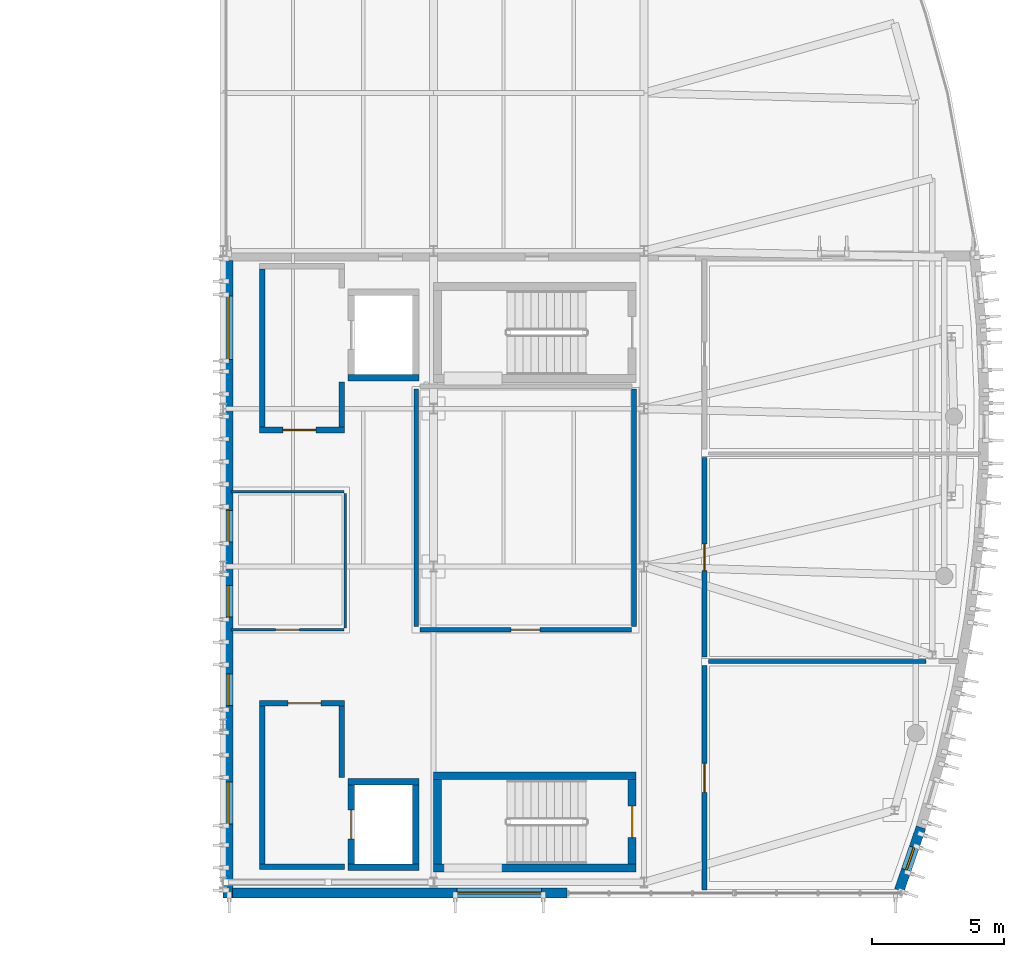
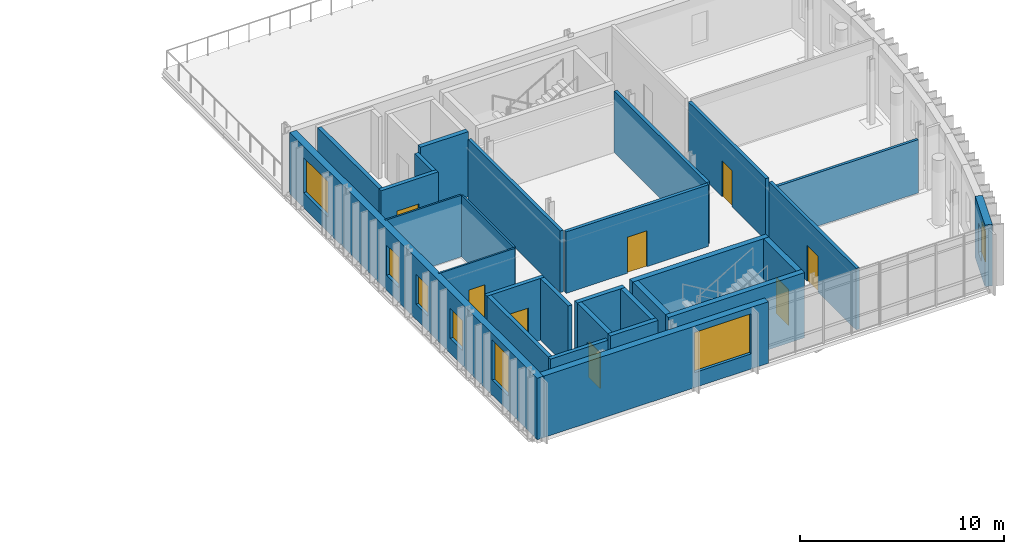
# One storey, part 29 of 40: 28 walls, 8 doors, 7 windows, 15 openings.
"""IFC4 building model written with IfcOpenShell, lengths in metres."""

from ifc_helpers import new_model, si_unit, direction, frame, frame_2d, origin, place, context, subcontext, project, spatial, rectangle, extrude, material, layer, layer_set, type_object, element, fill, save


model = new_model("IFC4")

# Units and contexts
model_context = context("Model", 3, precision=1e-05, world=origin(), true_north=direction((0.0, 1.0)))
body_context = subcontext(model_context, "Body", "Model", "MODEL_VIEW")
ifc_project = project(units=[si_unit("LENGTHUNIT", "METRE"), si_unit("AREAUNIT", "SQUARE_METRE"), si_unit("VOLUMEUNIT", "CUBIC_METRE"), si_unit("PLANEANGLEUNIT", "RADIAN"), si_unit("MASSUNIT", "GRAM", prefix="KILO")], contexts=[model_context])

# Site, building, storey
site_placement = place(None, origin())
site = spatial("IfcSite", under=ifc_project, at=site_placement, CompositionType="ELEMENT")
building_placement = place(site_placement, origin())
building = spatial("IfcBuilding", under=site, at=building_placement, Name="Cymarion Research Institute", CompositionType="ELEMENT")
storey_placement = place(building_placement, frame((0.0, 0.0, 26.699951171875)))
storey = spatial("IfcBuildingStorey", under=building, at=storey_placement, Name="L06", CompositionType="ELEMENT", Elevation=26.699951171875)

# Wall, opening, window
ifc_material_1 = material(Name="Precast concrete C40/50", Category="concrete")
ifc_layer_1 = layer(ifc_material_1, 0.3798828125)
ifc_layer_set_1 = layer_set([ifc_layer_1], Name="Precast concrete C40/50")
wall_type_1 = type_object("IfcWallType", Name="EXTERIOR WALL EW-PC380 380MM", PredefinedType="SOLIDWALL", material=ifc_layer_set_1)
wall_1_placement = place(storey_placement, frame((138.9619140625, 5.090087890625, 0.0), z_axis=(0.0, 0.0, 1.0), x_axis=(1.0, 0.0, 0.0)))
wall_1 = element("IfcWall", 1, at=wall_1_placement, inside=storey, type_object=wall_type_1, Name="L06 V1 facade pier wall EW-PC380 #248", PredefinedType="SOLIDWALL", context=body_context, shape_type="SweptSolid", body=[
    extrude(rectangle(XDim=12.718994140625, YDim=0.3798828125, at=frame_2d((6.359375, 0.0))), origin(), (0.0, 0.0, 1.0), 3.679931640625),
])
opening_1_placement = place(wall_1_placement, frame((8.5390625, 0.0, 0.89990234375)))
opening_1 = element("IfcOpeningElement", 2, at=opening_1_placement, cuts=wall_1, Name="Opening W23", PredefinedType="OPENING", context=body_context, shape_type="SweptSolid", body=[
    extrude(rectangle(XDim=3.199951171875, YDim=2.39990234375, at=frame_2d((1.60009765625, 1.199951171875))), frame((0.0, 0.199951171875, 0.0), z_axis=(0.0, -1.0, 0.0), x_axis=(1.0, 0.0, 0.0)), (0.0, 0.0, 1.0), 0.39990234375),
])
ifc_material_2 = material(Name="Thermally broken aluminium window with Low-E glazing", Category="aluminium")
window_type_1 = type_object("IfcWindowType", Name="THERMALLY BROKEN ALUMINIUM WINDOW W23 3200X2400", PartitioningType="TRIPLE_PANEL_VERTICAL", PredefinedType="WINDOW", material=ifc_material_2)
window_1_placement = place(opening_1_placement, origin())
window_1 = element("IfcWindow", 3, at=window_1_placement, inside=storey, type_object=window_type_1, Name="L06 V1 facade window W23 #458", OverallHeight=2.39990234375, OverallWidth=3.199951171875, PartitioningType="SINGLE_PANEL", PredefinedType="WINDOW", context=body_context, shape_type="SweptSolid", body=[
    extrude(rectangle(XDim=3.199951171875, YDim=2.39990234375, at=frame_2d((1.60009765625, 1.199951171875))), frame((0.0, 0.030029296875, 0.0), z_axis=(0.0, -1.0, 0.0), x_axis=(1.0, 0.0, 0.0)), (0.0, 0.0, 1.0), 0.06005859375),
])
fill(opening_1, window_1)

wall_2_placement = place(storey_placement, frame((164.302978515625, 5.200927734375, 0.0), z_axis=(0.0, 0.0, 1.0), x_axis=(0.3268184741, 0.945087130897, 0.0)))
wall_2 = element("IfcWall", 4, at=wall_2_placement, inside=storey, type_object=wall_type_1, Name="L06 V1 exterior wall EW-PC380 #249", PredefinedType="SOLIDWALL", context=body_context, shape_type="SweptSolid", body=[
    extrude(rectangle(XDim=2.5263671875, YDim=0.3798828125, at=frame_2d((1.26318359375, 0.0))), origin(), (0.0, 0.0, 1.0), 3.679931640625),
])
opening_2_placement = place(wall_2_placement, frame((0.81298828125, 0.0, 0.89990234375)))
opening_2 = element("IfcOpeningElement", 5, at=opening_2_placement, cuts=wall_2, Name="Opening W24", PredefinedType="OPENING", context=body_context, shape_type="SweptSolid", body=[
    extrude(rectangle(XDim=0.89990234375, YDim=1.800048828125, at=frame_2d((0.449951171875, 0.89990234375))), frame((0.0, 0.199951171875, 0.0), z_axis=(0.0, -1.0, 0.0), x_axis=(1.0, 0.0, 0.0)), (0.0, 0.0, 1.0), 0.39990234375),
])
window_type_2 = type_object("IfcWindowType", Name="THERMALLY BROKEN ALUMINIUM WINDOW W24 900X1800", PartitioningType="SINGLE_PANEL", PredefinedType="WINDOW", material=ifc_material_2)
window_2_placement = place(opening_2_placement, origin())
window_2 = element("IfcWindow", 6, at=window_2_placement, inside=storey, type_object=window_type_2, Name="L06 V1 facade window W24 #459", OverallHeight=1.800048828125, OverallWidth=0.89990234375, PartitioningType="SINGLE_PANEL", PredefinedType="WINDOW", context=body_context, shape_type="SweptSolid", body=[
    extrude(rectangle(XDim=0.89990234375, YDim=1.800048828125, at=frame_2d((0.449951171875, 0.89990234375))), frame((0.0, 0.030029296875, 0.0), z_axis=(0.0, -1.0, 0.0), x_axis=(1.0, 0.0, 0.0)), (0.0, 0.0, 1.0), 0.06005859375),
])
fill(opening_2, window_2)

# Wall, openings, windows
wall_3_placement = place(storey_placement, frame((138.7900390625, 29.137939453125, 0.0), z_axis=(0.0, 0.0, 1.0), x_axis=(0.0, -1.0, 0.0)))
wall_3 = element("IfcWall", 7, at=wall_3_placement, inside=storey, type_object=wall_type_1, Name="L06 V1 exterior wall EW-PC380 #259", PredefinedType="SOLIDWALL", context=body_context, shape_type="SweptSolid", body=[
    extrude(rectangle(XDim=24.238037109375, YDim=0.3798828125, at=frame_2d((12.119140625, 0.0))), origin(), (0.0, 0.0, 1.0), 3.679931640625),
])
opening_3_placement = place(wall_3_placement, frame((1.364013671875, 0.0, 0.89990234375)))
opening_3 = element("IfcOpeningElement", 8, at=opening_3_placement, cuts=wall_3, Name="Opening W12", PredefinedType="OPENING", context=body_context, shape_type="SweptSolid", body=[
    extrude(rectangle(XDim=2.39990234375, YDim=2.10009765625, at=frame_2d((1.199951171875, 1.050048828125))), frame((0.0, 0.199951171875, 0.0), z_axis=(0.0, -1.0, 0.0), x_axis=(1.0, 0.0, 0.0)), (0.0, 0.0, 1.0), 0.39990234375),
])
opening_4_placement = place(wall_3_placement, frame((9.498046875, 0.0, 0.89990234375)))
opening_4 = element("IfcOpeningElement", 9, at=opening_4_placement, cuts=wall_3, Name="Opening W01", PredefinedType="OPENING", context=body_context, shape_type="SweptSolid", body=[
    extrude(rectangle(XDim=1.199951171875, YDim=1.800048828125, at=frame_2d((0.60009765625, 0.89990234375))), frame((0.0, 0.199951171875, 0.0), z_axis=(0.0, -1.0, 0.0), x_axis=(1.0, 0.0, 0.0)), (0.0, 0.0, 1.0), 0.39990234375),
])
opening_5_placement = place(wall_3_placement, frame((12.35791015625, 0.0, 0.89990234375)))
opening_5 = element("IfcOpeningElement", 10, at=opening_5_placement, cuts=wall_3, Name="Opening W01", PredefinedType="OPENING", context=body_context, shape_type="SweptSolid", body=[
    extrude(rectangle(XDim=1.199951171875, YDim=1.800048828125, at=frame_2d((0.60009765625, 0.89990234375))), frame((0.0, 0.199951171875, 0.0), z_axis=(0.0, -1.0, 0.0), x_axis=(1.0, 0.0, 0.0)), (0.0, 0.0, 1.0), 0.39990234375),
])
opening_6_placement = place(wall_3_placement, frame((15.718017578125, 0.0, 0.89990234375)))
opening_6 = element("IfcOpeningElement", 11, at=opening_6_placement, cuts=wall_3, Name="Opening W01", PredefinedType="OPENING", context=body_context, shape_type="SweptSolid", body=[
    extrude(rectangle(XDim=1.199951171875, YDim=1.800048828125, at=frame_2d((0.60009765625, 0.89990234375))), frame((0.0, 0.199951171875, 0.0), z_axis=(0.0, -1.0, 0.0), x_axis=(1.0, 0.0, 0.0)), (0.0, 0.0, 1.0), 0.39990234375),
])
opening_7_placement = place(wall_3_placement, frame((19.827880859375, 0.0, 0.89990234375)))
opening_7 = element("IfcOpeningElement", 12, at=opening_7_placement, cuts=wall_3, Name="Opening W20", PredefinedType="OPENING", context=body_context, shape_type="SweptSolid", body=[
    extrude(rectangle(XDim=1.60009765625, YDim=2.39990234375, at=frame_2d((0.800048828125, 1.199951171875))), frame((0.0, 0.199951171875, 0.0), z_axis=(0.0, -1.0, 0.0), x_axis=(1.0, 0.0, 0.0)), (0.0, 0.0, 1.0), 0.39990234375),
])
window_type_3 = type_object("IfcWindowType", Name="THERMALLY BROKEN ALUMINIUM WINDOW W01 1200X1800", PartitioningType="SINGLE_PANEL", PredefinedType="WINDOW", material=ifc_material_2)
window_3_placement = place(opening_4_placement, origin())
window_3 = element("IfcWindow", 13, at=window_3_placement, inside=storey, type_object=window_type_3, Name="L06 V1 facade window W01 #471", OverallHeight=1.800048828125, OverallWidth=1.199951171875, PartitioningType="SINGLE_PANEL", PredefinedType="WINDOW", context=body_context, shape_type="SweptSolid", body=[
    extrude(rectangle(XDim=1.199951171875, YDim=1.800048828125, at=frame_2d((0.60009765625, 0.89990234375))), frame((0.0, 0.030029296875, 0.0), z_axis=(0.0, -1.0, 0.0), x_axis=(1.0, 0.0, 0.0)), (0.0, 0.0, 1.0), 0.06005859375),
])
fill(opening_4, window_3)
window_4_placement = place(opening_5_placement, origin())
window_4 = element("IfcWindow", 14, at=window_4_placement, inside=storey, type_object=window_type_3, Name="L06 V1 facade window W01 #472", OverallHeight=1.800048828125, OverallWidth=1.199951171875, PartitioningType="SINGLE_PANEL", PredefinedType="WINDOW", context=body_context, shape_type="SweptSolid", body=[
    extrude(rectangle(XDim=1.199951171875, YDim=1.800048828125, at=frame_2d((0.60009765625, 0.89990234375))), frame((0.0, 0.030029296875, 0.0), z_axis=(0.0, -1.0, 0.0), x_axis=(1.0, 0.0, 0.0)), (0.0, 0.0, 1.0), 0.06005859375),
])
fill(opening_5, window_4)
window_5_placement = place(opening_6_placement, origin())
window_5 = element("IfcWindow", 15, at=window_5_placement, inside=storey, type_object=window_type_3, Name="L06 V1 facade window W01 #473", OverallHeight=1.800048828125, OverallWidth=1.199951171875, PartitioningType="SINGLE_PANEL", PredefinedType="WINDOW", context=body_context, shape_type="SweptSolid", body=[
    extrude(rectangle(XDim=1.199951171875, YDim=1.800048828125, at=frame_2d((0.60009765625, 0.89990234375))), frame((0.0, 0.030029296875, 0.0), z_axis=(0.0, -1.0, 0.0), x_axis=(1.0, 0.0, 0.0)), (0.0, 0.0, 1.0), 0.06005859375),
])
fill(opening_6, window_5)
window_type_4 = type_object("IfcWindowType", Name="THERMALLY BROKEN ALUMINIUM WINDOW W12 2400X2100", PartitioningType="TRIPLE_PANEL_VERTICAL", PredefinedType="WINDOW", material=ifc_material_2)
window_6_placement = place(opening_3_placement, origin())
window_6 = element("IfcWindow", 16, at=window_6_placement, inside=storey, type_object=window_type_4, Name="L06 V1 facade window W12 #470", OverallHeight=2.10009765625, OverallWidth=2.39990234375, PartitioningType="SINGLE_PANEL", PredefinedType="WINDOW", context=body_context, shape_type="SweptSolid", body=[
    extrude(rectangle(XDim=2.39990234375, YDim=2.10009765625, at=frame_2d((1.199951171875, 1.050048828125))), frame((0.0, 0.030029296875, 0.0), z_axis=(0.0, -1.0, 0.0), x_axis=(1.0, 0.0, 0.0)), (0.0, 0.0, 1.0), 0.06005859375),
])
fill(opening_3, window_6)
window_type_5 = type_object("IfcWindowType", Name="THERMALLY BROKEN ALUMINIUM WINDOW W20 1600X2400", PartitioningType="DOUBLE_PANEL_VERTICAL", PredefinedType="WINDOW", material=ifc_material_2)
window_7_placement = place(opening_7_placement, origin())
window_7 = element("IfcWindow", 17, at=window_7_placement, inside=storey, type_object=window_type_5, Name="L06 V1 facade window W20 #474", OverallHeight=2.39990234375, OverallWidth=1.60009765625, PartitioningType="SINGLE_PANEL", PredefinedType="WINDOW", context=body_context, shape_type="SweptSolid", body=[
    extrude(rectangle(XDim=1.60009765625, YDim=2.39990234375, at=frame_2d((0.800048828125, 1.199951171875))), frame((0.0, 0.030029296875, 0.0), z_axis=(0.0, -1.0, 0.0), x_axis=(1.0, 0.0, 0.0)), (0.0, 0.0, 1.0), 0.06005859375),
])
fill(opening_7, window_7)

# Walls
ifc_material_3 = material(Name="Gypsum acoustic double-stud partition", Category="gypsum")
ifc_layer_2 = layer(ifc_material_3, 0.14990234375)
ifc_layer_set_2 = layer_set([ifc_layer_2], Name="Gypsum acoustic double-stud partition")
wall_type_2 = type_object("IfcWallType", Name="INTERIOR PARTITION IW-AC150 150MM", PredefinedType="PARTITIONING", material=ifc_layer_set_2)
wall_4_placement = place(storey_placement, frame((157.050048828125, 13.89990234375, 0.0), z_axis=(0.0, 0.0, 1.0), x_axis=(1.0, 0.0, 0.0)))
element("IfcWall", 18, at=wall_4_placement, inside=storey, type_object=wall_type_2, Name="L06 V1 interior partition IW-AC150 #351", PredefinedType="PARTITIONING", context=body_context, shape_type="SweptSolid", body=[
    extrude(rectangle(XDim=8.259765625, YDim=0.14990234375, at=frame_2d((4.1298828125, 0.0))), origin(), (0.0, 0.0, 1.0), 3.179931640625),
])
ifc_material_4 = material(Name="Framed acoustic glass laboratory screen", Category="glass")
ifc_layer_3 = layer(ifc_material_4, 0.10009765625)
ifc_layer_set_3 = layer_set([ifc_layer_3], Name="Framed acoustic glass laboratory screen")
wall_type_3 = type_object("IfcWallType", Name="INTERIOR PARTITION IW-GL100 100MM", PredefinedType="PARTITIONING", material=ifc_layer_set_3)
wall_5_placement = place(storey_placement, frame((138.905029296875, 20.340087890625, 0.0), z_axis=(0.0, 0.0, 1.0), x_axis=(1.0, 0.0, 0.0)))
element("IfcWall", 19, at=wall_5_placement, inside=storey, type_object=wall_type_3, Name="L06 V1 interior partition IW-GL100 #344", PredefinedType="PARTITIONING", context=body_context, shape_type="SweptSolid", body=[
    extrude(rectangle(XDim=4.294921875, YDim=0.10009765625, at=frame_2d((2.1474609375, 0.0))), origin(), (0.0, 0.0, 1.0), 3.679931640625),
])
wall_6_placement = place(storey_placement, frame((143.25, 15.159912109375, 0.0), z_axis=(0.0, 0.0, 1.0), x_axis=(0.0, 1.0, 0.0)))
element("IfcWall", 20, at=wall_6_placement, inside=storey, type_object=wall_type_3, Name="L06 V1 interior partition IW-GL100 #345", PredefinedType="PARTITIONING", context=body_context, shape_type="SweptSolid", body=[
    extrude(rectangle(XDim=5.1201171875, YDim=0.10009765625, at=frame_2d((2.56005859375, 0.0))), origin(), (0.0, 0.0, 1.0), 3.679931640625),
])

# Wall, opening, door
wall_7_placement = place(storey_placement, frame((138.905029296875, 15.10009765625, 0.0), z_axis=(0.0, 0.0, 1.0), x_axis=(1.0, 0.0, 0.0)))
wall_7 = element("IfcWall", 21, at=wall_7_placement, inside=storey, type_object=wall_type_3, Name="L06 V1 interior partition IW-GL100 #346", PredefinedType="PARTITIONING", context=body_context, shape_type="SweptSolid", body=[
    extrude(rectangle(XDim=4.294921875, YDim=0.10009765625, at=frame_2d((2.1474609375, 0.0))), origin(), (0.0, 0.0, 1.0), 3.679931640625),
])
opening_8_placement = place(wall_7_placement, frame((1.697998046875, 0.0, 0.0)))
opening_8 = element("IfcOpeningElement", 22, at=opening_8_placement, cuts=wall_7, Name="Opening D-L06-206", PredefinedType="OPENING", context=body_context, shape_type="SweptSolid", body=[
    extrude(rectangle(XDim=0.89990234375, YDim=2.10009765625, at=frame_2d((0.449951171875, 1.050048828125))), frame((0.0, 0.06005859375, 0.0), z_axis=(0.0, -1.0, 0.0), x_axis=(1.0, 0.0, 0.0)), (0.0, 0.0, 1.0), 0.1201171875),
])
ifc_material_5 = material(Name="Flush acoustic timber/steel door assembly", Category="steel")
door_type_1 = type_object("IfcDoorType", Name="RESEARCH WRITE-UP OFFICE DOOR DT-OF090 900X2100", OperationType="NOTDEFINED", PredefinedType="DOOR", material=ifc_material_5)
door_1_placement = place(opening_8_placement, origin())
door_1 = element("IfcDoor", 23, at=door_1_placement, inside=storey, type_object=door_type_1, Name="L06 West Write-up door D-L06-206", OperationType="SINGLE_SWING_LEFT", OverallHeight=2.10009765625, OverallWidth=0.89990234375, PredefinedType="DOOR", context=body_context, shape_type="SweptSolid", body=[
    extrude(rectangle(XDim=0.89990234375, YDim=2.10009765625, at=frame_2d((0.449951171875, 1.050048828125))), frame((0.0, 0.02490234375, 0.0), z_axis=(0.0, -1.0, 0.0), x_axis=(1.0, 0.0, 0.0)), (0.0, 0.0, 1.0), 0.050048828125),
])
fill(opening_8, door_1)

# Walls
ifc_material_6 = material(Name="Moisture-resistant laboratory partition", Category="gypsum")
ifc_layer_4 = layer(ifc_material_6, 0.179931640625)
ifc_layer_set_4 = layer_set([ifc_layer_4], Name="Moisture-resistant laboratory partition")
wall_type_4 = type_object("IfcWallType", Name="INTERIOR PARTITION IW-LB180 180MM", PredefinedType="PARTITIONING", material=ifc_layer_set_4)
for number, where, z_axis, x_axis, name in (
    (24, (145.949951171875, 15.219970703125, 0.0), (0.0, 0.0, 1.0), (0.0, 1.0, 0.0), "L06 V1 interior partition IW-LB180 #347"),
    (25, (154.219970703125, 15.219970703125, 0.0), (0.0, 0.0, 1.0), (0.0, 1.0, 0.0), "L06 V1 interior partition IW-LB180 #349"),
):
    element("IfcWall", number, at=place(storey_placement, frame(where, z_axis=z_axis, x_axis=x_axis)), inside=storey, type_object=wall_type_4, Name=name, PredefinedType="PARTITIONING", context=body_context, shape_type="SweptSolid", body=[
        extrude(rectangle(XDim=9.030029296875, YDim=0.179931640625, at=frame_2d((4.51513671875, 0.0))), origin(), (0.0, 0.0, 1.0), 3.679931640625),
    ])

# Wall, opening, door
wall_8_placement = place(storey_placement, frame((146.080078125, 15.10009765625, 0.0), z_axis=(0.0, 0.0, 1.0), x_axis=(1.0, 0.0, 0.0)))
wall_8 = element("IfcWall", 26, at=wall_8_placement, inside=storey, type_object=wall_type_4, Name="L06 V1 interior partition IW-LB180 #350", PredefinedType="PARTITIONING", context=body_context, shape_type="SweptSolid", body=[
    extrude(rectangle(XDim=8.0400390625, YDim=0.179931640625, at=frame_2d((4.02001953125, 0.0))), origin(), (0.0, 0.0, 1.0), 3.679931640625),
])
opening_9_placement = place(wall_8_placement, frame((3.469970703125, 0.0, 0.0)))
opening_9 = element("IfcOpeningElement", 27, at=opening_9_placement, cuts=wall_8, Name="Opening D-L06-207", PredefinedType="OPENING", context=body_context, shape_type="SweptSolid", body=[
    extrude(rectangle(XDim=1.10009765625, YDim=2.14990234375, at=frame_2d((0.550048828125, 1.074951171875))), frame((0.0, 0.099853515625, 0.0), z_axis=(0.0, -1.0, 0.0), x_axis=(1.0, 0.0, 0.0)), (0.0, 0.0, 1.0), 0.199951171875),
])
door_type_2 = type_object("IfcDoorType", Name="LABORATORY WIDE SINGLE DOOR DT-LB110 1100X2150", OperationType="NOTDEFINED", PredefinedType="DOOR", material=ifc_material_5)
door_2_placement = place(opening_9_placement, origin())
door_2 = element("IfcDoor", 28, at=door_2_placement, inside=storey, type_object=door_type_2, Name="L06 Central Assay Lab door D-L06-207", OperationType="SINGLE_SWING_RIGHT", OverallHeight=2.14990234375, OverallWidth=1.10009765625, PredefinedType="DOOR", context=body_context, shape_type="SweptSolid", body=[
    extrude(rectangle(XDim=1.10009765625, YDim=2.14990234375, at=frame_2d((0.550048828125, 1.074951171875))), frame((0.0, 0.02490234375, 0.0), z_axis=(0.0, -1.0, 0.0), x_axis=(1.0, 0.0, 0.0)), (0.0, 0.0, 1.0), 0.050048828125),
])
fill(opening_9, door_2)

wall_9_placement = place(storey_placement, frame((156.89990234375, 5.205078125, 0.0), z_axis=(0.0, 0.0, 1.0), x_axis=(0.0, 1.0, 0.0)))
wall_9 = element("IfcWall", 29, at=wall_9_placement, inside=storey, type_object=wall_type_4, Name="L06 V1 interior partition IW-LB180 #354", PredefinedType="PARTITIONING", context=body_context, shape_type="SweptSolid", body=[
    extrude(rectangle(XDim=8.534912109375, YDim=0.179931640625, at=frame_2d((4.267578125, 0.0))), origin(), (0.0, 0.0, 1.0), 3.679931640625),
])
opening_10_placement = place(wall_9_placement, frame((3.718017578125, 0.0, 0.0)))
opening_10 = element("IfcOpeningElement", 30, at=opening_10_placement, cuts=wall_9, Name="Opening D-L06-208", PredefinedType="OPENING", context=body_context, shape_type="SweptSolid", body=[
    extrude(rectangle(XDim=1.10009765625, YDim=2.14990234375, at=frame_2d((0.550048828125, 1.074951171875))), frame((0.0, 0.099853515625, 0.0), z_axis=(0.0, -1.0, 0.0), x_axis=(1.0, 0.0, 0.0)), (0.0, 0.0, 1.0), 0.199951171875),
])
door_3_placement = place(opening_10_placement, origin())
door_3 = element("IfcDoor", 31, at=door_3_placement, inside=storey, type_object=door_type_2, Name="L06 Tower Lab door D-L06-208", OperationType="SINGLE_SWING_LEFT", OverallHeight=2.14990234375, OverallWidth=1.10009765625, PredefinedType="DOOR", context=body_context, shape_type="SweptSolid", body=[
    extrude(rectangle(XDim=1.10009765625, YDim=2.14990234375, at=frame_2d((0.550048828125, 1.074951171875))), frame((0.0, 0.02490234375, 0.0), z_axis=(0.0, -1.0, 0.0), x_axis=(1.0, 0.0, 0.0)), (0.0, 0.0, 1.0), 0.050048828125),
])
fill(opening_10, door_3)

wall_10_placement = place(storey_placement, frame((156.89990234375, 14.06005859375, 0.0), z_axis=(0.0, 0.0, 1.0), x_axis=(0.0, 1.0, 0.0)))
wall_10 = element("IfcWall", 32, at=wall_10_placement, inside=storey, type_object=wall_type_4, Name="L06 V1 interior partition IW-LB180 #355", PredefinedType="PARTITIONING", context=body_context, shape_type="SweptSolid", body=[
    extrude(rectangle(XDim=7.579833984375, YDim=0.179931640625, at=frame_2d((3.7900390625, 0.0))), origin(), (0.0, 0.0, 1.0), 3.679931640625),
])
opening_11_placement = place(wall_10_placement, frame((3.2900390625, 0.0, 0.0)))
opening_11 = element("IfcOpeningElement", 33, at=opening_11_placement, cuts=wall_10, Name="Opening D-L06-209", PredefinedType="OPENING", context=body_context, shape_type="SweptSolid", body=[
    extrude(rectangle(XDim=1.0, YDim=2.14990234375, at=frame_2d((0.5, 1.074951171875))), frame((0.0, 0.099853515625, 0.0), z_axis=(0.0, -1.0, 0.0), x_axis=(1.0, 0.0, 0.0)), (0.0, 0.0, 1.0), 0.199951171875),
])
door_type_3 = type_object("IfcDoorType", Name="LABORATORY SINGLE LEAF DOOR DT-LB100 1000X2150", OperationType="NOTDEFINED", PredefinedType="DOOR", material=ifc_material_5)
door_4_placement = place(opening_11_placement, origin())
door_4 = element("IfcDoor", 34, at=door_4_placement, inside=storey, type_object=door_type_3, Name="L06 Instrument Room door D-L06-209", OperationType="SINGLE_SWING_RIGHT", OverallHeight=2.14990234375, OverallWidth=1.0, PredefinedType="DOOR", context=body_context, shape_type="SweptSolid", body=[
    extrude(rectangle(XDim=1.0, YDim=2.14990234375, at=frame_2d((0.5, 1.074951171875))), frame((0.0, 0.02490234375, 0.0), z_axis=(0.0, -1.0, 0.0), x_axis=(1.0, 0.0, 0.0)), (0.0, 0.0, 1.0), 0.050048828125),
])
fill(opening_11, door_4)

# Wall
ifc_material_7 = material(Name="Concrete C40/50", Category="concrete")
ifc_layer_5 = layer(ifc_material_7, 0.219970703125)
ifc_layer_set_5 = layer_set([ifc_layer_5], Name="Concrete C40/50")
wall_type_5 = type_object("IfcWallType", Name="REINFORCED CONCRETE CORE WALL CW-FF220 220MM", PredefinedType="SOLIDWALL", material=ifc_layer_set_5)
wall_11_placement = place(storey_placement, frame((139.97998046875, 6.090087890625, 0.0), z_axis=(0.0, 0.0, 1.0), x_axis=(1.0, 0.0, 0.0)))
element("IfcWall", 35, at=wall_11_placement, inside=storey, type_object=wall_type_5, Name="L06 FFL-LF1-L06 south core wall", PredefinedType="SOLIDWALL", context=body_context, shape_type="SweptSolid", body=[
    extrude(rectangle(XDim=3.239990234375, YDim=0.219970703125, at=frame_2d((1.6201171875, 0.0))), origin(), (0.0, 0.0, 1.0), 3.679931640625),
])

# Wall, opening, door
wall_12_placement = place(storey_placement, frame((143.219970703125, 12.31005859375, 0.0), z_axis=(0.0, 0.0, 1.0), x_axis=(-1.0, 0.0, 0.0)))
wall_12 = element("IfcWall", 36, at=wall_12_placement, inside=storey, type_object=wall_type_5, Name="L06 FFL-LF1-L06 north core wall", PredefinedType="SOLIDWALL", context=body_context, shape_type="SweptSolid", body=[
    extrude(rectangle(XDim=3.239990234375, YDim=0.219970703125, at=frame_2d((1.6201171875, 0.0))), origin(), (0.0, 0.0, 1.0), 3.679931640625),
])
opening_12_placement = place(wall_12_placement, frame((0.89990234375, 0.0, 0.0)))
opening_12 = element("IfcOpeningElement", 37, at=opening_12_placement, cuts=wall_12, Name="Opening FD-FFL-LF1-L06", PredefinedType="OPENING", context=body_context, shape_type="SweptSolid", body=[
    extrude(rectangle(XDim=1.25, YDim=2.14990234375, at=frame_2d((0.625, 1.074951171875))), frame((0.0, 0.119873046875, 0.0), z_axis=(0.0, -1.0, 0.0), x_axis=(1.0, 0.0, 0.0)), (0.0, 0.0, 1.0), 0.239990234375),
])
ifc_material_8 = material(Name="Fire-rated insulated steel door assembly", Category="steel")
door_type_4 = type_object("IfcDoorType", Name="FIREFIGHTING LOBBY DOOR DT-FF125 1250X2150", OperationType="NOTDEFINED", PredefinedType="DOOR", material=ifc_material_8)
door_5_placement = place(opening_12_placement, frame((1.25, 0.0, 0.0), z_axis=(0.0, 0.0, 1.0), x_axis=(-1.0, 0.0, 0.0)))
door_5 = element("IfcDoor", 38, at=door_5_placement, inside=storey, type_object=door_type_4, Name="L06 Firefighting lobby door FD-FFL-LF1-L06", OperationType="SINGLE_SWING_RIGHT", OverallHeight=2.14990234375, OverallWidth=1.25, PredefinedType="DOOR", context=body_context, shape_type="SweptSolid", body=[
    extrude(rectangle(XDim=1.25, YDim=2.14990234375, at=frame_2d((0.625, 1.074951171875))), frame((0.0, 0.02490234375, 0.0), z_axis=(0.0, -1.0, 0.0), x_axis=(1.0, 0.0, 0.0)), (0.0, 0.0, 1.0), 0.050048828125),
])
fill(opening_12, door_5)

# Walls
wall_13_placement = place(storey_placement, frame((140.090087890625, 12.199951171875, 0.0), z_axis=(0.0, 0.0, 1.0), x_axis=(0.0, -1.0, 0.0)))
element("IfcWall", 39, at=wall_13_placement, inside=storey, type_object=wall_type_5, Name="L06 FFL-LF1-L06 west core wall", PredefinedType="SOLIDWALL", context=body_context, shape_type="SweptSolid", body=[
    extrude(rectangle(XDim=6.0, YDim=0.219970703125, at=frame_2d((3.0, 0.0))), origin(), (0.0, 0.0, 1.0), 3.679931640625),
])
wall_14_placement = place(storey_placement, frame((143.110107421875, 9.47998046875, 0.0), z_axis=(0.0, 0.0, 1.0), x_axis=(0.0, 1.0, 0.0)))
element("IfcWall", 40, at=wall_14_placement, inside=storey, type_object=wall_type_5, Name="Core C1 firefighting lobby east closure wall L06", PredefinedType="SOLIDWALL", context=body_context, shape_type="SweptSolid", body=[
    extrude(rectangle(XDim=2.719970703125, YDim=0.219970703125, at=frame_2d((1.35986328125, 0.0))), origin(), (0.0, 0.0, 1.0), 3.679931640625),
])

# Wall, opening, door
wall_15_placement = place(storey_placement, frame((139.97998046875, 22.68994140625, 0.0), z_axis=(0.0, 0.0, 1.0), x_axis=(1.0, 0.0, 0.0)))
wall_15 = element("IfcWall", 41, at=wall_15_placement, inside=storey, type_object=wall_type_5, Name="L06 FFL-LF2-L06 south core wall", PredefinedType="SOLIDWALL", context=body_context, shape_type="SweptSolid", body=[
    extrude(rectangle(XDim=3.239990234375, YDim=0.219970703125, at=frame_2d((1.6201171875, 0.0))), origin(), (0.0, 0.0, 1.0), 3.679931640625),
])
opening_13_placement = place(wall_15_placement, frame((0.89990234375, 0.0, 0.0)))
opening_13 = element("IfcOpeningElement", 42, at=opening_13_placement, cuts=wall_15, Name="Opening FD-FFL-LF2-L06", PredefinedType="OPENING", context=body_context, shape_type="SweptSolid", body=[
    extrude(rectangle(XDim=1.25, YDim=2.14990234375, at=frame_2d((0.625, 1.074951171875))), frame((0.0, 0.119873046875, 0.0), z_axis=(0.0, -1.0, 0.0), x_axis=(1.0, 0.0, 0.0)), (0.0, 0.0, 1.0), 0.239990234375),
])
door_6_placement = place(opening_13_placement, frame((1.25, 0.0, 0.0), z_axis=(0.0, 0.0, 1.0), x_axis=(-1.0, 0.0, 0.0)))
door_6 = element("IfcDoor", 43, at=door_6_placement, inside=storey, type_object=door_type_4, Name="L06 Firefighting lobby door FD-FFL-LF2-L06", OperationType="SINGLE_SWING_RIGHT", OverallHeight=2.14990234375, OverallWidth=1.25, PredefinedType="DOOR", context=body_context, shape_type="SweptSolid", body=[
    extrude(rectangle(XDim=1.25, YDim=2.14990234375, at=frame_2d((0.625, 1.074951171875))), frame((0.0, 0.02490234375, 0.0), z_axis=(0.0, -1.0, 0.0), x_axis=(1.0, 0.0, 0.0)), (0.0, 0.0, 1.0), 0.050048828125),
])
fill(opening_13, door_6)

# Walls
wall_16_placement = place(storey_placement, frame((140.090087890625, 28.800048828125, 0.0), z_axis=(0.0, 0.0, 1.0), x_axis=(0.0, -1.0, 0.0)))
element("IfcWall", 44, at=wall_16_placement, inside=storey, type_object=wall_type_5, Name="L06 FFL-LF2-L06 west core wall", PredefinedType="SOLIDWALL", context=body_context, shape_type="SweptSolid", body=[
    extrude(rectangle(XDim=6.0, YDim=0.219970703125, at=frame_2d((3.0, 0.0))), origin(), (0.0, 0.0, 1.0), 3.679931640625),
])
wall_17_placement = place(storey_placement, frame((143.110107421875, 22.800048828125, 0.0), z_axis=(0.0, 0.0, 1.0), x_axis=(0.0, 1.0, 0.0)))
element("IfcWall", 45, at=wall_17_placement, inside=storey, type_object=wall_type_5, Name="Core C2 firefighting lobby east closure wall L06 #1", PredefinedType="SOLIDWALL", context=body_context, shape_type="SweptSolid", body=[
    extrude(rectangle(XDim=1.719970703125, YDim=0.219970703125, at=frame_2d((0.85986328125, 0.0))), origin(), (0.0, 0.0, 1.0), 3.679931640625),
])
ifc_layer_6 = layer(ifc_material_7, 0.25)
ifc_layer_set_6 = layer_set([ifc_layer_6], Name="Concrete C40/50")
wall_type_6 = type_object("IfcWallType", Name="REINFORCED CONCRETE CORE WALL CW-SH250 250MM", PredefinedType="SHEAR", material=ifc_layer_set_6)
for number, where, z_axis, x_axis, name in (
    (46, (143.35009765625, 6.074951171875, 0.0), (0.0, 0.0, 1.0), (1.0, 0.0, 0.0), "L06 LSH-LF1-L06 south core wall"),
    (47, (146.050048828125, 9.324951171875, 0.0), (0.0, 0.0, 1.0), (-1.0, 0.0, 0.0), "L06 LSH-LF1-L06 north core wall"),
):
    element("IfcWall", number, at=place(storey_placement, frame(where, z_axis=z_axis, x_axis=x_axis)), inside=storey, type_object=wall_type_6, Name=name, PredefinedType="SHEAR", context=body_context, shape_type="SweptSolid", body=[
        extrude(rectangle(XDim=2.699951171875, YDim=0.25, at=frame_2d((1.35009765625, 0.0))), origin(), (0.0, 0.0, 1.0), 3.900146484375),
    ])

# Wall, opening, door
wall_18_placement = place(storey_placement, frame((143.47509765625, 9.199951171875, 0.0), z_axis=(0.0, 0.0, 1.0), x_axis=(0.0, -1.0, 0.0)))
wall_18 = element("IfcWall", 48, at=wall_18_placement, inside=storey, type_object=wall_type_6, Name="L06 LSH-LF1-L06 west core wall", PredefinedType="SHEAR", context=body_context, shape_type="SweptSolid", body=[
    extrude(rectangle(XDim=3.0, YDim=0.25, at=frame_2d((1.5, 0.0))), origin(), (0.0, 0.0, 1.0), 3.900146484375),
])
opening_14_placement = place(wall_18_placement, frame((0.949951171875, 0.0, 0.0)))
opening_14 = element("IfcOpeningElement", 49, at=opening_14_placement, cuts=wall_18, Name="Opening LD-LF1-L06", PredefinedType="OPENING", context=body_context, shape_type="SweptSolid", body=[
    extrude(rectangle(XDim=1.10009765625, YDim=2.14990234375, at=frame_2d((0.550048828125, 1.074951171875))), frame((0.0, 0.135009765625, 0.0), z_axis=(0.0, -1.0, 0.0), x_axis=(1.0, 0.0, 0.0)), (0.0, 0.0, 1.0), 0.27001953125),
])
door_type_5 = type_object("IfcDoorType", Name="SLIDING LIFT LANDING DOOR DT-LD110 1100X2150", OperationType="DOUBLE_DOOR_SLIDING", PredefinedType="DOOR", material=ifc_material_8)
door_7_placement = place(opening_14_placement, origin())
door_7 = element("IfcDoor", 50, at=door_7_placement, inside=storey, type_object=door_type_5, Name="Lift LF1 landing door L06", OperationType="DOUBLE_DOOR_SLIDING", OverallHeight=2.14990234375, OverallWidth=1.10009765625, PredefinedType="DOOR", context=body_context, shape_type="SweptSolid", body=[
    extrude(rectangle(XDim=1.10009765625, YDim=2.14990234375, at=frame_2d((0.550048828125, 1.074951171875))), frame((0.0, 0.02490234375, 0.0), z_axis=(0.0, -1.0, 0.0), x_axis=(1.0, 0.0, 0.0)), (0.0, 0.0, 1.0), 0.050048828125),
])
fill(opening_14, door_7)

# Walls
wall_19_placement = place(storey_placement, frame((145.925048828125, 6.199951171875, 0.0), z_axis=(0.0, 0.0, 1.0), x_axis=(0.0, 1.0, 0.0)))
element("IfcWall", 51, at=wall_19_placement, inside=storey, type_object=wall_type_6, Name="L06 LSH-LF1-L06 east core wall", PredefinedType="SHEAR", context=body_context, shape_type="SweptSolid", body=[
    extrude(rectangle(XDim=3.0, YDim=0.25, at=frame_2d((1.5, 0.0))), origin(), (0.0, 0.0, 1.0), 3.900146484375),
])
wall_20_placement = place(storey_placement, frame((143.35009765625, 24.675048828125, 0.0), z_axis=(0.0, 0.0, 1.0), x_axis=(1.0, 0.0, 0.0)))
element("IfcWall", 52, at=wall_20_placement, inside=storey, type_object=wall_type_6, Name="L06 LSH-LF2-L06 south core wall", PredefinedType="SHEAR", context=body_context, shape_type="SweptSolid", body=[
    extrude(rectangle(XDim=2.699951171875, YDim=0.25, at=frame_2d((1.35009765625, 0.0))), origin(), (0.0, 0.0, 1.0), 3.900146484375),
])
ifc_layer_7 = layer(ifc_material_7, 0.300048828125)
ifc_layer_set_7 = layer_set([ifc_layer_7], Name="Concrete C40/50")
wall_type_7 = type_object("IfcWallType", Name="REINFORCED CONCRETE CORE WALL CW-SH300 300MM", PredefinedType="SHEAR", material=ifc_layer_set_7)
for number, where, z_axis, x_axis, name in (
    (53, (146.60009765625, 6.050048828125, 0.0), (0.0, 0.0, 1.0), (1.0, 0.0, 0.0), "L06 SHW-C1-L06 south core wall"),
    (54, (154.300048828125, 9.550048828125, 0.0), (0.0, 0.0, 1.0), (-1.0, 0.0, 0.0), "L06 SHW-C1-L06 north core wall"),
):
    element("IfcWall", number, at=place(storey_placement, frame(where, z_axis=z_axis, x_axis=x_axis)), inside=storey, type_object=wall_type_7, Name=name, PredefinedType="SHEAR", context=body_context, shape_type="SweptSolid", body=[
        extrude(rectangle(XDim=7.699951171875, YDim=0.300048828125, at=frame_2d((3.85009765625, 0.0))), origin(), (0.0, 0.0, 1.0), 3.900146484375),
    ])
wall_21_placement = place(storey_placement, frame((146.75, 9.39990234375, 0.0), z_axis=(0.0, 0.0, 1.0), x_axis=(0.0, -1.0, 0.0)))
element("IfcWall", 55, at=wall_21_placement, inside=storey, type_object=wall_type_7, Name="L06 SHW-C1-L06 west core wall", PredefinedType="SHEAR", context=body_context, shape_type="SweptSolid", body=[
    extrude(rectangle(XDim=3.199951171875, YDim=0.300048828125, at=frame_2d((1.60009765625, 0.0))), origin(), (0.0, 0.0, 1.0), 3.900146484375),
])

# Wall, opening, door
wall_22_placement = place(storey_placement, frame((154.14990234375, 6.199951171875, 0.0), z_axis=(0.0, 0.0, 1.0), x_axis=(0.0, 1.0, 0.0)))
wall_22 = element("IfcWall", 56, at=wall_22_placement, inside=storey, type_object=wall_type_7, Name="L06 SHW-C1-L06 east core wall", PredefinedType="SHEAR", context=body_context, shape_type="SweptSolid", body=[
    extrude(rectangle(XDim=3.199951171875, YDim=0.300048828125, at=frame_2d((1.60009765625, 0.0))), origin(), (0.0, 0.0, 1.0), 3.900146484375),
])
opening_15_placement = place(wall_22_placement, frame((1.0, 0.0, 0.0)))
opening_15 = element("IfcOpeningElement", 57, at=opening_15_placement, cuts=wall_22, Name="Opening FD-L06-ST1", PredefinedType="OPENING", context=body_context, shape_type="SweptSolid", body=[
    extrude(rectangle(XDim=1.199951171875, YDim=2.14990234375, at=frame_2d((0.60009765625, 1.074951171875))), frame((0.0, 0.159912109375, 0.0), z_axis=(0.0, -1.0, 0.0), x_axis=(1.0, 0.0, 0.0)), (0.0, 0.0, 1.0), 0.320068359375),
])
door_type_6 = type_object("IfcDoorType", Name="SMOKE PROOF STAIR FIRE DOOR DT-ST120 1200X2150", OperationType="NOTDEFINED", PredefinedType="DOOR", material=ifc_material_8)
door_8_placement = place(opening_15_placement, origin())
door_8 = element("IfcDoor", 58, at=door_8_placement, inside=storey, type_object=door_type_6, Name="L06 ST1 smoke-proof stair door FD-L06-ST1", OperationType="SINGLE_SWING_RIGHT", OverallHeight=2.14990234375, OverallWidth=1.199951171875, PredefinedType="DOOR", context=body_context, shape_type="SweptSolid", body=[
    extrude(rectangle(XDim=1.199951171875, YDim=2.14990234375, at=frame_2d((0.60009765625, 1.074951171875))), frame((0.0, 0.02490234375, 0.0), z_axis=(0.0, -1.0, 0.0), x_axis=(1.0, 0.0, 0.0)), (0.0, 0.0, 1.0), 0.050048828125),
])
fill(opening_15, door_8)

save(model, "model.ifc")
